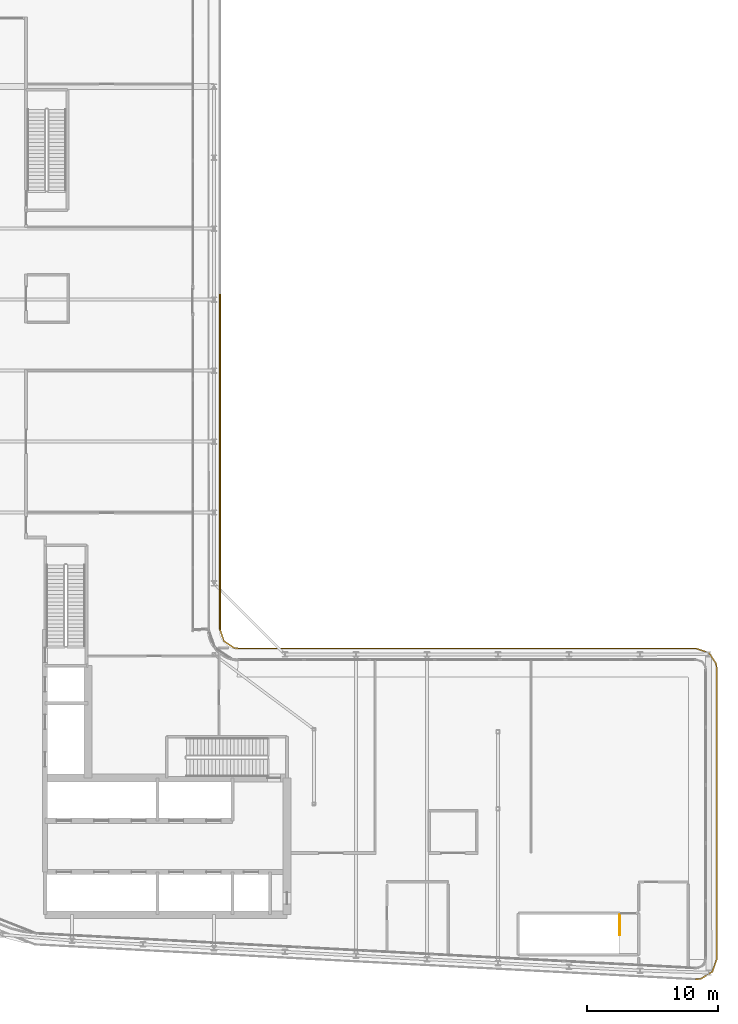
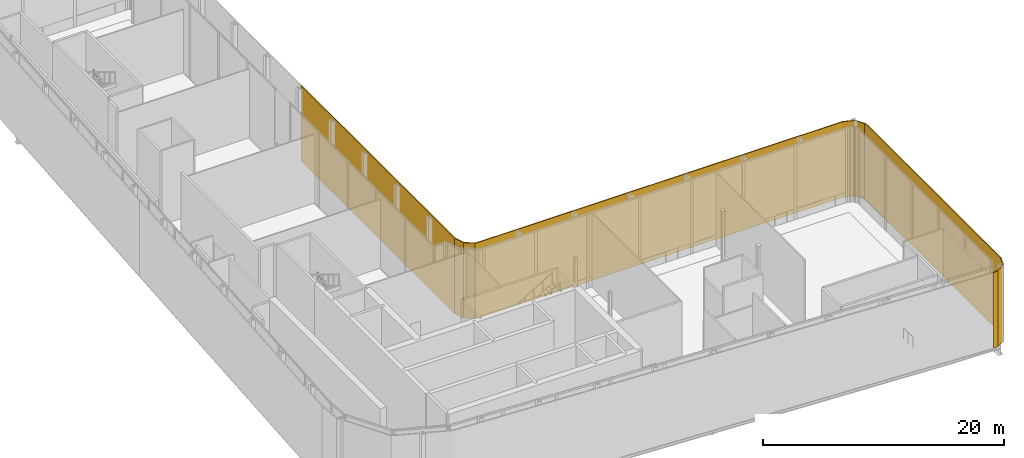
# One storey, part 25 of 27: 2 shading devices, 1 railing.
"""IFC4 building model written with IfcOpenShell, lengths in metres."""

from ifc_helpers import new_model, si_unit, direction, frame, origin, origin_2d, place, context, subcontext, project, spatial, polyline, rectangle, circle, outline, extrude, material, layer, layer_set, type_object, element, save


model = new_model("IFC4")

# Units and contexts
model_context = context("Model", 3, precision=1e-05, world=origin(), true_north=direction((0.0, 1.0)))
body_context = subcontext(model_context, "Body", "Model", "MODEL_VIEW")
ifc_project = project(units=[si_unit("LENGTHUNIT", "METRE"), si_unit("AREAUNIT", "SQUARE_METRE"), si_unit("VOLUMEUNIT", "CUBIC_METRE"), si_unit("PLANEANGLEUNIT", "RADIAN"), si_unit("MASSUNIT", "GRAM", prefix="KILO")], contexts=[model_context])

# Site, building, storey
site_placement = place(None, origin())
site = spatial("IfcSite", under=ifc_project, at=site_placement, CompositionType="ELEMENT")
building_placement = place(site_placement, origin())
building = spatial("IfcBuilding", under=site, at=building_placement, Name="Kheshtan School and Residences Tower", CompositionType="ELEMENT")
storey_placement = place(building_placement, frame((0.0, 0.0, 266.89990234375)))
storey = spatial("IfcBuildingStorey", under=building, at=storey_placement, Name="L63", CompositionType="ELEMENT", Elevation=266.89990234375)

# Shading devices
ifc_material_1 = material(Name="Terracotta baguette, extruded ceramic", Category="masonry")
ifc_layer_1 = layer(ifc_material_1, 0.10009765625)
ifc_layer_set_1 = layer_set([ifc_layer_1], Name="Ledge screen, terracotta baguettes")
shading_device_type_1 = type_object("IfcShadingDeviceType", Name="Ledge screen, terracotta baguettes", PredefinedType="USERDEFINED", material=ifc_layer_set_1)
shading_device_1_placement = place(storey_placement, origin())
element("IfcShadingDevice", 1, at=shading_device_1_placement, inside=storey, type_object=shading_device_type_1, Name="Screen L63 4", ObjectType="BAGUETTE", PredefinedType="USERDEFINED", context=body_context, shape_type="SweptSolid", body=[
    extrude(outline(polyline([(48.0, 47.5), (48.31005859375, 46.5869140625), (49.112060546875, 46.051025390625), (49.5, 46.0), (84.300048828125, 46.0), (85.212890625, 45.68994140625), (85.7490234375, 44.887939453125), (85.800048828125, 44.5), (85.800048828125, 22.43408203125), (85.469970703125, 21.4951171875), (84.6240234375, 20.968994140625), (84.220947265625, 20.93603515625), (84.22900390625, 20.8359375), (84.656005859375, 20.87109375), (85.552978515625, 21.428955078125), (85.89990234375, 22.4169921875), (85.89990234375, 44.507080078125), (85.844970703125, 44.924072265625), (85.277099609375, 45.77392578125), (84.31689453125, 46.10009765625), (49.507080078125, 46.10009765625), (49.14794921875, 46.14697265625), (48.39404296875, 46.65087890625), (48.094970703125, 47.531982421875), (48.0, 47.5)])), origin(), (0.0, 0.0, 1.0), 7.650146484375),
])
ifc_material_2 = material(Name="Terracotta lattice, extruded ceramic", Category="masonry")
ifc_layer_2 = layer(ifc_material_2, 0.10009765625)
ifc_layer_set_2 = layer_set([ifc_layer_2], Name="Loggia screen, terracotta lattice")
shading_device_type_2 = type_object("IfcShadingDeviceType", Name="Loggia screen, terracotta lattice", PredefinedType="USERDEFINED", material=ifc_layer_set_2)
shading_device_2_placement = place(storey_placement, frame((48.050048828125, 60.25, 0.000244140625), z_axis=(0.0, 0.0, 1.0), x_axis=(0.0, -1.0, 0.0)))
element("IfcShadingDevice", 2, at=shading_device_2_placement, inside=storey, type_object=shading_device_type_2, Name="Screen L63 3", ObjectType="SCREEN", PredefinedType="USERDEFINED", context=body_context, shape_type="SweptSolid", body=[
    extrude(rectangle(XDim=25.5, YDim=0.10009765625, at=origin_2d()), origin(), (0.0, 0.0, 1.0), 7.64990234375),
])

# Railing
ifc_material_3 = material(Name="Stainless steel balustrade", Category="steel")
railing_type = type_object("IfcRailingType", Name="Stair guard 1100", PredefinedType="GUARDRAIL", material=ifc_material_3)
railing_placement = place(storey_placement, frame((78.4599609375, 25.800048828125, 0.0)))
element("IfcRailing", 3, at=railing_placement, inside=storey, type_object=railing_type, Name="L63 ST5 top well guard 1", PredefinedType="GUARDRAIL", context=body_context, shape_type="SweptSolid", body=[
    extrude(circle(Radius=0.02392578125, at=origin_2d()), frame((0.0, 0.0, 1.076171875), z_axis=(0.0, -1.0, 0.0), x_axis=(1.0, 0.0, 0.0)), (0.0, 0.0, 1.0), 1.550048828125),
    extrude(circle(Radius=0.02099609375, at=origin_2d()), origin(), (0.0, 0.0, 1.0), 1.052001953125),
    extrude(circle(Radius=0.02099609375, at=origin_2d()), frame((0.0, -0.77490234375, 0.0)), (0.0, 0.0, 1.0), 1.052001953125),
    extrude(circle(Radius=0.02099609375, at=origin_2d()), frame((0.0, -1.550048828125, 0.0)), (0.0, 0.0, 1.0), 1.052001953125),
])

save(model, "model.ifc")
